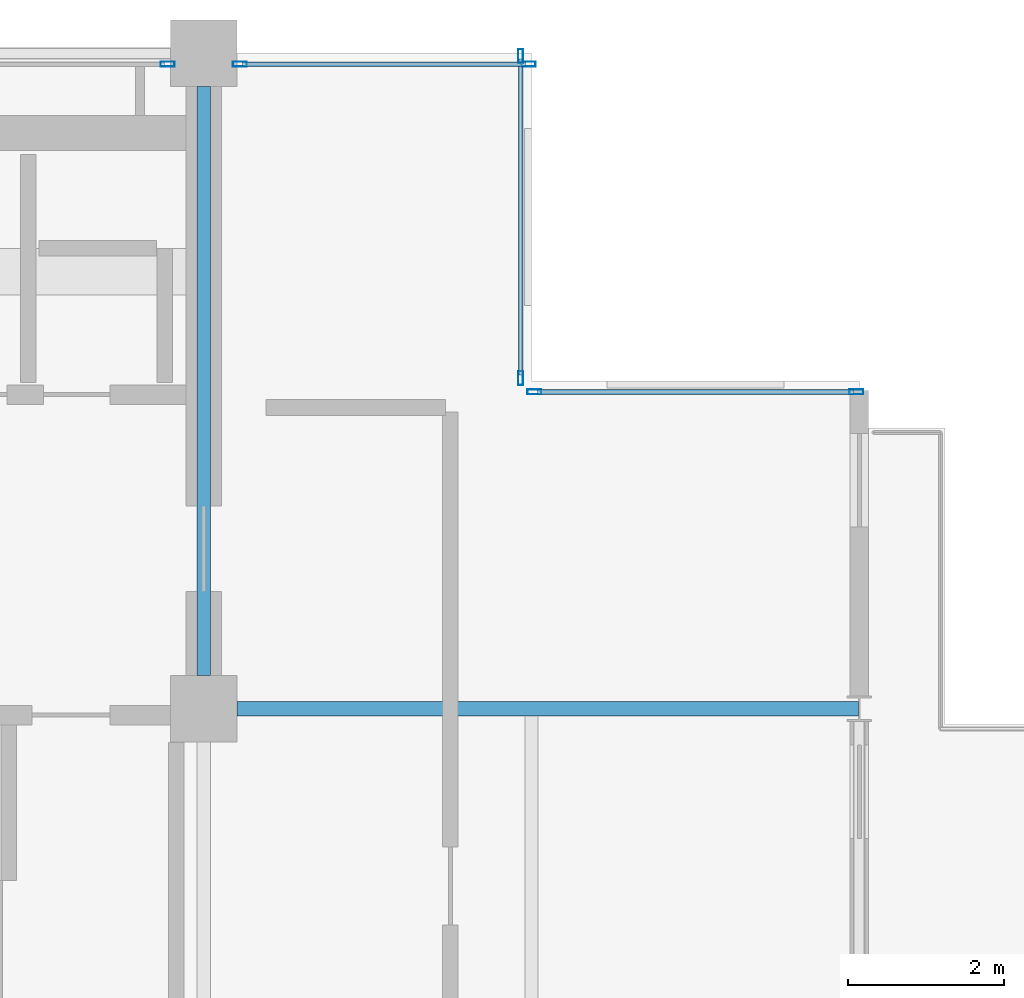
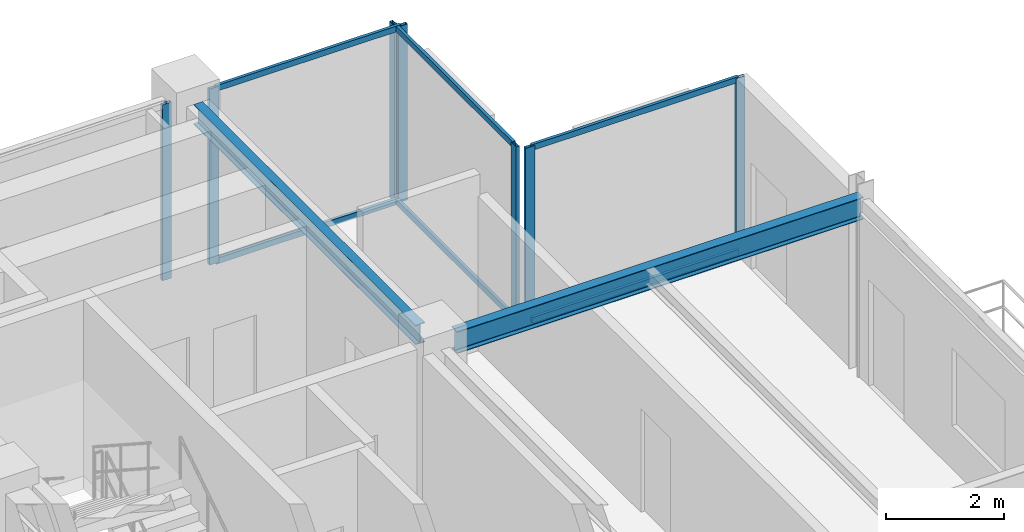
# One storey, part 19 of 26: 13 members, 2 beams, 4 elements without a shape of their own.
"""IFC4 building model written with IfcOpenShell, lengths in metres."""

import ifcopenshell
import ifcopenshell.guid

model = None  # the IFC model being written
_history = None  # IfcOwnerHistory: only IFC2X3 demands one
_inside = {}  # id of a spatial element -> (the spatial element, [elements in it])
_under = {}  # id of a project, library or spatial element -> (it, [spatial elements below it])
_declared = {}  # id of a project -> (the project, [libraries it declares])
_typed = {}  # id of a type object -> (the type object, [elements of that type])
_made_of = {}  # id of a material, layer set ... -> (it, [elements and type objects made of it])


def new_model(schema):
    """Start an empty IFC model of exactly this schema.

    Asked for "IFC4X3", IfcOpenShell would pick the latest addendum, in which some entities
    have other attributes; the version numbers below select the first issue.
    IFC2X3 requires an IfcOwnerHistory on every rooted entity: one is made here for all.
    """
    global model, _history
    if schema == "IFC4X3":
        model = ifcopenshell.file(schema_version=(4, 3, 0, 0))
    else:
        model = ifcopenshell.file(schema=schema)
    _inside.clear()
    _under.clear()
    _declared.clear()
    _typed.clear()
    _made_of.clear()
    _history = None
    if model.schema == "IFC2X3":
        org = make("IfcOrganization", Name="unknown")
        user = make(
            "IfcPersonAndOrganization",
            ThePerson=make("IfcPerson", FamilyName="unknown"),
            TheOrganization=org,
        )
        app = make(
            "IfcApplication",
            ApplicationDeveloper=org,
            Version="unknown",
            ApplicationFullName="unknown",
            ApplicationIdentifier="unknown",
        )
        _history = make(
            "IfcOwnerHistory",
            OwningUser=user,
            OwningApplication=app,
            ChangeAction="ADDED",
            CreationDate=0,
        )
    return model


def make(cls, **values):
    """One entity of the class cls with the attributes given. An attribute that is None is left unset."""
    return model.create_entity(
        cls, **{name: value for name, value in values.items() if value is not None}
    )


def rooted(cls, **values):
    """An entity with a GlobalId (a new one), such as an element, a storey or a relation."""
    return make(cls, GlobalId=ifcopenshell.guid.new(), OwnerHistory=_history, **values)


def si_unit(unit_type, name, prefix=None):
    """IfcSIUnit, for example si_unit("LENGTHUNIT", "METRE", prefix="MILLI")."""
    return make("IfcSIUnit", UnitType=unit_type, Prefix=prefix, Name=name)


def assignment(units):
    """IfcUnitAssignment: the units of a project."""
    return None if units is None else make("IfcUnitAssignment", Units=units)


def point(xyz):
    """IfcCartesianPoint."""
    return None if xyz is None else make("IfcCartesianPoint", Coordinates=xyz)


def direction(xyz):
    """IfcDirection."""
    return None if xyz is None else make("IfcDirection", DirectionRatios=xyz)


def frame(location, z_axis=None, x_axis=None):
    """IfcAxis2Placement3D, a coordinate frame: its origin and axes. An axis left out is left unset."""
    return make(
        "IfcAxis2Placement3D",
        Location=point(location),
        Axis=direction(z_axis),
        RefDirection=direction(x_axis),
    )


def frame_2d(location, x_axis=None):
    """IfcAxis2Placement2D, a coordinate frame in the plane: its origin and x axis."""
    return make(
        "IfcAxis2Placement2D", Location=point(location), RefDirection=direction(x_axis)
    )


def origin():
    """The frame at (0, 0, 0) with its axes left unset."""
    return frame((0.0, 0.0, 0.0))


def origin_2d():
    """The frame at (0, 0) in the plane with its x axis left unset."""
    return frame_2d((0.0, 0.0))


def place(relative_to, where):
    """IfcLocalPlacement: puts the frame where relative to a parent placement (None: the world)."""
    return make(
        "IfcLocalPlacement", PlacementRelTo=relative_to, RelativePlacement=where
    )


def context(
    kind, dimensions, precision=None, world=None, true_north=None, identifier=None
):
    """IfcGeometricRepresentationContext, for example the 3D "Model" context."""
    return make(
        "IfcGeometricRepresentationContext",
        ContextIdentifier=identifier,
        ContextType=kind,
        CoordinateSpaceDimension=dimensions,
        Precision=precision,
        WorldCoordinateSystem=world,
        TrueNorth=true_north,
    )


def subcontext(parent, identifier, kind, view, scale=None):
    """IfcGeometricRepresentationSubContext, for example "Body" below "Model"."""
    return make(
        "IfcGeometricRepresentationSubContext",
        ContextIdentifier=identifier,
        ContextType=kind,
        ParentContext=parent,
        TargetScale=scale,
        TargetView=view,
    )


def project(units=None, contexts=None):
    """IfcProject with its units and contexts."""
    return rooted(
        "IfcProject",
        Name="project",
        RepresentationContexts=contexts,
        UnitsInContext=assignment(units),
    )


def spatial(cls, under=None, at=None, **own):
    """A site, building, storey or space (cls), placed at a placement, below another one or the project."""
    s = rooted(cls, ObjectPlacement=at, **own)
    if under is not None:
        _under.setdefault(under.id(), (under, []))[1].append(s)
    return s


def profile(cls, at=None, kind="AREA", **sizes):
    """A parametric profile (cls). Its sizes go by their IFC names, for example OverallWidth=200.0."""
    return make(cls, ProfileType=kind, Position=at, **sizes)


def hollow_rectangle(**sizes):
    """IfcRectangleHollowProfileDef."""
    return profile("IfcRectangleHollowProfileDef", **sizes)


def i_section(**sizes):
    """IfcIShapeProfileDef."""
    return profile("IfcIShapeProfileDef", **sizes)


def extrude(swept, where, along, depth):
    """IfcExtrudedAreaSolid: the profile swept, set in the frame where, extruded along a direction by depth."""
    return make(
        "IfcExtrudedAreaSolid",
        SweptArea=swept,
        Position=where,
        ExtrudedDirection=direction(along),
        Depth=depth,
    )


def shape(context_of_items, identifier, shape_type, items):
    """IfcShapeRepresentation: the items that make up one representation, for example the "Body"."""
    return make(
        "IfcShapeRepresentation",
        ContextOfItems=context_of_items,
        RepresentationIdentifier=identifier,
        RepresentationType=shape_type,
        Items=items,
    )


def material(Name=None, Category=None):
    """IfcMaterial."""
    return make("IfcMaterial", Name=Name, Category=Category)


def layer(
    of_material, thickness, ventilated=None, Name=None, Category=None, Priority=None
):
    """IfcMaterialLayer: one layer of a wall or slab, of a material (None: an air gap)."""
    return make(
        "IfcMaterialLayer",
        Material=of_material,
        LayerThickness=thickness,
        IsVentilated=ventilated,
        Name=Name,
        Category=Category,
        Priority=Priority,
    )


def layer_set(layers, Name=None):
    """IfcMaterialLayerSet."""
    return make("IfcMaterialLayerSet", MaterialLayers=layers, LayerSetName=Name)


def material_profile(
    of_material, cross_section, Name=None, Category=None, Priority=None
):
    """IfcMaterialProfile: a cross section and its material."""
    return make(
        "IfcMaterialProfile",
        Name=Name,
        Material=of_material,
        Profile=cross_section,
        Priority=Priority,
        Category=Category,
    )


def profile_set(profiles, Name=None, composite=None):
    """IfcMaterialProfileSet."""
    return make(
        "IfcMaterialProfileSet",
        Name=Name,
        MaterialProfiles=profiles,
        CompositeProfile=composite,
    )


def made_of(thing, what):
    """Note that an element or type object is made of a material, layer set ...; save() writes the relation."""
    if what is not None:
        _made_of.setdefault(what.id(), (what, []))[1].append(thing)
    return thing


def type_object(cls, material=None, **own):
    """A type object (cls), such as IfcWallType, which elements share."""
    return made_of(rooted(cls, **own), material)


def element(
    cls,
    number,
    at=None,
    inside=None,
    cuts=None,
    type_object=None,
    material=None,
    context=None,
    identifier="Body",
    shape_type=None,
    held_by="IfcProductDefinitionShape",
    body=None,
    shapes=None,
    **own,
):
    """One element of the class cls, such as IfcWall. Its Tag is "e" and its number.

    at: its placement. inside: the storey or other place that contains it. cuts: it is an
    opening in that element (IfcRelVoidsElement). A single representation is given by context,
    identifier, shape_type and body (its items); several are given by shapes. held_by: the class
    of the entity that holds the representations. save() writes the other relations.
    """
    e = rooted(cls, Tag="e%d" % number, ObjectPlacement=at, **own)
    if body is not None:
        shapes = [shape(context, identifier, shape_type, body)]
    if shapes is not None:
        e.Representation = make(held_by, Representations=shapes)
    if inside is not None:
        _inside.setdefault(inside.id(), (inside, []))[1].append(e)
    if cuts is not None:
        rooted(
            "IfcRelVoidsElement", RelatingBuildingElement=cuts, RelatedOpeningElement=e
        )
    if type_object is not None:
        _typed.setdefault(type_object.id(), (type_object, []))[1].append(e)
    return made_of(e, material)


def aggregate(whole, parts):
    """IfcRelAggregates: a whole, such as a stair, and the parts it consists of."""
    return rooted("IfcRelAggregates", RelatingObject=whole, RelatedObjects=parts)


def save(model, path):
    """Write the relations noted so far, then the file.

    IfcRelAggregates (storeys below a building ...), IfcRelContainedInSpatialStructure (elements
    in a storey), IfcRelDefinesByType, IfcRelAssociatesMaterial and IfcRelDeclares: one each for
    every whole, place, type object, material and project.
    """
    for whole, parts in _under.values():
        aggregate(whole, parts)
    for where, things in _inside.values():
        rooted(
            "IfcRelContainedInSpatialStructure",
            RelatedElements=things,
            RelatingStructure=where,
        )
    for kind, things in _typed.values():
        rooted("IfcRelDefinesByType", RelatedObjects=things, RelatingType=kind)
    for what, things in _made_of.values():
        rooted("IfcRelAssociatesMaterial", RelatedObjects=things, RelatingMaterial=what)
    for by, libraries in _declared.values():
        rooted("IfcRelDeclares", RelatingContext=by, RelatedDefinitions=libraries)
    model.write(path)


model = new_model("IFC4")

# Units and contexts
model_context = context("Model", 3, precision=1e-05, world=origin(), true_north=direction((0.0, 1.0)))
body_context = subcontext(model_context, "Body", "Model", "MODEL_VIEW")
ifc_project = project(units=[si_unit("LENGTHUNIT", "METRE"), si_unit("AREAUNIT", "SQUARE_METRE"), si_unit("VOLUMEUNIT", "CUBIC_METRE"), si_unit("PLANEANGLEUNIT", "RADIAN"), si_unit("MASSUNIT", "GRAM", prefix="KILO")], contexts=[model_context])

# Site, building, storey
site_placement = place(None, origin())
site = spatial("IfcSite", under=ifc_project, at=site_placement, CompositionType="ELEMENT")
building_placement = place(site_placement, origin())
building = spatial("IfcBuilding", under=site, at=building_placement, Name="Nerrivon Quay Data Exchange", CompositionType="ELEMENT")
storey_placement = place(building_placement, frame((0.0, 0.0, 282.199951171875)))
storey = spatial("IfcBuildingStorey", under=building, at=storey_placement, Name="L67", CompositionType="ELEMENT", Elevation=282.199951171875)

# Beams
ifc_material_1 = material(Name="Steel Grade 350", Category="steel")
ifc_material_profile_1 = material_profile(ifc_material_1, i_section(OverallWidth=0.18994140625, OverallDepth=0.4541015625, WebThickness=0.008544921875, FlangeThickness=0.0126953125, FilletRadius=0.011474609375, at=origin_2d()), Name="460UB67.1")
ifc_profile_set_1 = profile_set([ifc_material_profile_1], Name="Steel Grade 350")
beam_type_1 = type_object("IfcBeamType", Name="BM-G6-460UB67", PredefinedType="BEAM", material=ifc_profile_set_1)
beam_1_placement = place(storey_placement, frame((17.22509765625, 33.60009765625, 3.423095703125), z_axis=(1.0, 0.0, 0.0), x_axis=(0.0, 1.0, 0.0)))
element("IfcBeam", 1, at=beam_1_placement, inside=storey, type_object=beam_type_1, Name="L67 EW Girder Y=33.6 (16.8..25.2)", PredefinedType="BEAM", context=body_context, shape_type="SweptSolid", body=[
    extrude(i_section(OverallWidth=0.18994140625, OverallDepth=0.4541015625, WebThickness=0.008544921875, FlangeThickness=0.0126953125, FilletRadius=0.011474609375, at=origin_2d()), origin(), (0.0, 0.0, 1.0), 7.967041015625),
])
ifc_material_profile_2 = material_profile(ifc_material_1, i_section(OverallWidth=0.177978515625, OverallDepth=0.406005859375, WebThickness=0.0078125, FlangeThickness=0.0126953125, FilletRadius=0.011474609375, at=origin_2d()), Name="410UB59.7")
ifc_profile_set_2 = profile_set([ifc_material_profile_2], Name="Steel Grade 350")
beam_type_2 = type_object("IfcBeamType", Name="BM-J1-410UB60", PredefinedType="JOIST", material=ifc_profile_set_2)
beam_2_placement = place(storey_placement, frame((16.800048828125, 34.02490234375, 3.447021484375), z_axis=(0.0, 1.0, 0.0), x_axis=(-1.0, 0.0, 0.0)))
element("IfcBeam", 2, at=beam_2_placement, inside=storey, type_object=beam_type_2, Name="L67 NS Girder X=16.8 (33.6..42.0)", PredefinedType="JOIST", context=body_context, shape_type="SweptSolid", body=[
    extrude(i_section(OverallWidth=0.177978515625, OverallDepth=0.406005859375, WebThickness=0.0078125, FlangeThickness=0.0126953125, FilletRadius=0.011474609375, at=origin_2d()), origin(), (0.0, 0.0, 1.0), 7.550048828125),
])

# Curtain wall, member
ifc_material_2 = material(Name="Anodised aluminium 6063-T6", Category="aluminium")
ifc_layer = layer(ifc_material_2, 0.195068359375)
ifc_layer_set = layer_set([ifc_layer], Name="Anodised aluminium 6063-T6")
curtain_wall_type = type_object("IfcCurtainWallType", Name="CW-SYS-06", PredefinedType="NOTDEFINED", material=ifc_layer_set)
curtain_wall_1_placement = place(storey_placement, origin())
curtain_wall_1 = element("IfcCurtainWall", 3, at=curtain_wall_1_placement, inside=storey, type_object=curtain_wall_type, Name="L67 Unitised Curtain Wall 18", PredefinedType="NOTDEFINED")
ifc_material_profile_3 = material_profile(ifc_material_2, hollow_rectangle(XDim=0.06494140625, YDim=0.179931640625, WallThickness=0.00341796875, at=origin_2d()), Name="ALU-MULL-180x65")
ifc_profile_set_3 = profile_set([ifc_material_profile_3], Name="Anodised aluminium 6063-T6")
member_type_1 = type_object("IfcMemberType", Name="CWM-180x65", PredefinedType="MULLION", material=ifc_profile_set_3)
member_1_placement = place(storey_placement, frame((16.33740234375, 41.860107421875, 0.0), z_axis=(0.0, 0.0, 1.0), x_axis=(0.0, 1.0, 0.0)))
member_1 = element("IfcMember", 4, at=member_1_placement, type_object=member_type_1, Name="CW06 mullion 2", PredefinedType="MULLION", context=body_context, shape_type="SweptSolid", body=[
    extrude(hollow_rectangle(XDim=0.06494140625, YDim=0.179931640625, WallThickness=0.00341796875, at=origin_2d()), origin(), (0.0, 0.0, 1.0), 3.650146484375),
])
aggregate(curtain_wall_1, [member_1])

# Curtain wall, members
curtain_wall_2_placement = place(storey_placement, origin())
curtain_wall_2 = element("IfcCurtainWall", 5, at=curtain_wall_2_placement, inside=storey, type_object=curtain_wall_type, Name="L67 Unitised Curtain Wall 19", PredefinedType="NOTDEFINED")
member_2_placement = place(storey_placement, frame((17.262451171875, 41.860107421875, 0.0), z_axis=(0.0, 0.0, 1.0), x_axis=(0.0, 1.0, 0.0)))
member_2 = element("IfcMember", 6, at=member_2_placement, type_object=member_type_1, Name="CW06 mullion 1", PredefinedType="MULLION", context=body_context, shape_type="SweptSolid", body=[
    extrude(hollow_rectangle(XDim=0.06494140625, YDim=0.179931640625, WallThickness=0.00341796875, at=origin_2d()), origin(), (0.0, 0.0, 1.0), 3.650146484375),
])
member_3_placement = place(storey_placement, frame((20.96240234375, 41.860107421875, 0.0), z_axis=(0.0, 0.0, 1.0), x_axis=(0.0, 1.0, 0.0)))
member_3 = element("IfcMember", 7, at=member_3_placement, type_object=member_type_1, Name="CW06 mullion 2", PredefinedType="MULLION", context=body_context, shape_type="SweptSolid", body=[
    extrude(hollow_rectangle(XDim=0.06494140625, YDim=0.179931640625, WallThickness=0.00341796875, at=origin_2d()), origin(), (0.0, 0.0, 1.0), 3.650146484375),
])

curtain_wall_3_placement = place(storey_placement, origin())
curtain_wall_3 = element("IfcCurtainWall", 8, at=curtain_wall_3_placement, inside=storey, type_object=curtain_wall_type, Name="L67 Unitised Curtain Wall 20", PredefinedType="NOTDEFINED")
member_4_placement = place(storey_placement, frame((20.860107421875, 41.96240234375, 0.0), z_axis=(0.0, 0.0, 1.0), x_axis=(1.0, 0.0, 0.0)))
member_4 = element("IfcMember", 9, at=member_4_placement, type_object=member_type_1, Name="CW06 mullion 1", PredefinedType="MULLION", context=body_context, shape_type="SweptSolid", body=[
    extrude(hollow_rectangle(XDim=0.06494140625, YDim=0.179931640625, WallThickness=0.00341796875, at=origin_2d()), origin(), (0.0, 0.0, 1.0), 3.650146484375),
])
member_5_placement = place(storey_placement, frame((20.860107421875, 37.83740234375, 0.0), z_axis=(0.0, 0.0, 1.0), x_axis=(1.0, 0.0, 0.0)))
member_5 = element("IfcMember", 10, at=member_5_placement, type_object=member_type_1, Name="CW06 mullion 2", PredefinedType="MULLION", context=body_context, shape_type="SweptSolid", body=[
    extrude(hollow_rectangle(XDim=0.06494140625, YDim=0.179931640625, WallThickness=0.00341796875, at=origin_2d()), origin(), (0.0, 0.0, 1.0), 3.650146484375),
])

curtain_wall_4_placement = place(storey_placement, origin())
curtain_wall_4 = element("IfcCurtainWall", 11, at=curtain_wall_4_placement, inside=storey, type_object=curtain_wall_type, Name="L67 Unitised Curtain Wall 21", PredefinedType="NOTDEFINED")
member_6_placement = place(storey_placement, frame((21.03759765625, 37.659912109375, 0.0), z_axis=(0.0, 0.0, 1.0), x_axis=(0.0, 1.0, 0.0)))
member_6 = element("IfcMember", 12, at=member_6_placement, type_object=member_type_1, Name="CW06 mullion 1", PredefinedType="MULLION", context=body_context, shape_type="SweptSolid", body=[
    extrude(hollow_rectangle(XDim=0.06494140625, YDim=0.179931640625, WallThickness=0.00341796875, at=origin_2d()), origin(), (0.0, 0.0, 1.0), 3.650146484375),
])
member_7_placement = place(storey_placement, frame((25.16259765625, 37.659912109375, 0.0), z_axis=(0.0, 0.0, 1.0), x_axis=(0.0, 1.0, 0.0)))
member_7 = element("IfcMember", 13, at=member_7_placement, type_object=member_type_1, Name="CW06 mullion 2", PredefinedType="MULLION", context=body_context, shape_type="SweptSolid", body=[
    extrude(hollow_rectangle(XDim=0.06494140625, YDim=0.179931640625, WallThickness=0.00341796875, at=origin_2d()), origin(), (0.0, 0.0, 1.0), 3.650146484375),
])

# Member
ifc_material_profile_4 = material_profile(ifc_material_2, hollow_rectangle(XDim=0.06005859375, YDim=0.1201171875, WallThickness=0.003173828125, at=origin_2d()), Name="ALU-TRAN-120x60")
ifc_profile_set_4 = profile_set([ifc_material_profile_4], Name="Anodised aluminium 6063-T6")
member_type_2 = type_object("IfcMemberType", Name="CWT-120x60", PredefinedType="USERDEFINED", material=ifc_profile_set_4)
member_8_placement = place(storey_placement, frame((17.300048828125, 41.860107421875, 0.032470703125), z_axis=(1.0, 0.0, 0.0), x_axis=(0.0, 1.0, 0.0)))
member_8 = element("IfcMember", 14, at=member_8_placement, type_object=member_type_2, Name="CW06 transom 1.1", ObjectType="TRANSOM", PredefinedType="USERDEFINED", context=body_context, shape_type="SweptSolid", body=[
    extrude(hollow_rectangle(XDim=0.06005859375, YDim=0.1201171875, WallThickness=0.003173828125, at=origin_2d()), origin(), (0.0, 0.0, 1.0), 3.625),
])

member_9_placement = place(storey_placement, frame((17.300048828125, 41.860107421875, 3.617431640625), z_axis=(1.0, 0.0, 0.0), x_axis=(0.0, 1.0, 0.0)))
member_9 = element("IfcMember", 15, at=member_9_placement, type_object=member_type_2, Name="CW06 transom 1.2", ObjectType="TRANSOM", PredefinedType="USERDEFINED", context=body_context, shape_type="SweptSolid", body=[
    extrude(hollow_rectangle(XDim=0.06005859375, YDim=0.1201171875, WallThickness=0.003173828125, at=origin_2d()), origin(), (0.0, 0.0, 1.0), 3.625),
])

aggregate(curtain_wall_2, [member_2, member_3, member_8, member_9])

member_10_placement = place(storey_placement, frame((20.860107421875, 41.925048828125, 0.032470703125), z_axis=(0.0, -1.0, 0.0), x_axis=(1.0, 0.0, 0.0)))
member_10 = element("IfcMember", 16, at=member_10_placement, type_object=member_type_2, Name="CW06 transom 1.1", ObjectType="TRANSOM", PredefinedType="USERDEFINED", context=body_context, shape_type="SweptSolid", body=[
    extrude(hollow_rectangle(XDim=0.06005859375, YDim=0.1201171875, WallThickness=0.003173828125, at=origin_2d()), origin(), (0.0, 0.0, 1.0), 4.050048828125),
])

member_11_placement = place(storey_placement, frame((20.860107421875, 41.925048828125, 3.617431640625), z_axis=(0.0, -1.0, 0.0), x_axis=(1.0, 0.0, 0.0)))
member_11 = element("IfcMember", 17, at=member_11_placement, type_object=member_type_2, Name="CW06 transom 1.2", ObjectType="TRANSOM", PredefinedType="USERDEFINED", context=body_context, shape_type="SweptSolid", body=[
    extrude(hollow_rectangle(XDim=0.06005859375, YDim=0.1201171875, WallThickness=0.003173828125, at=origin_2d()), origin(), (0.0, 0.0, 1.0), 4.050048828125),
])

aggregate(curtain_wall_3, [member_4, member_5, member_10, member_11])

member_12_placement = place(storey_placement, frame((21.074951171875, 37.659912109375, 0.032470703125), z_axis=(1.0, 0.0, 0.0), x_axis=(0.0, 1.0, 0.0)))
member_12 = element("IfcMember", 18, at=member_12_placement, type_object=member_type_2, Name="CW06 transom 1.1", ObjectType="TRANSOM", PredefinedType="USERDEFINED", context=body_context, shape_type="SweptSolid", body=[
    extrude(hollow_rectangle(XDim=0.06005859375, YDim=0.1201171875, WallThickness=0.003173828125, at=origin_2d()), origin(), (0.0, 0.0, 1.0), 4.050048828125),
])

member_13_placement = place(storey_placement, frame((21.074951171875, 37.659912109375, 3.617431640625), z_axis=(1.0, 0.0, 0.0), x_axis=(0.0, 1.0, 0.0)))
member_13 = element("IfcMember", 19, at=member_13_placement, type_object=member_type_2, Name="CW06 transom 1.2", ObjectType="TRANSOM", PredefinedType="USERDEFINED", context=body_context, shape_type="SweptSolid", body=[
    extrude(hollow_rectangle(XDim=0.06005859375, YDim=0.1201171875, WallThickness=0.003173828125, at=origin_2d()), origin(), (0.0, 0.0, 1.0), 4.050048828125),
])

aggregate(curtain_wall_4, [member_6, member_7, member_12, member_13])

save(model, "model.ifc")
